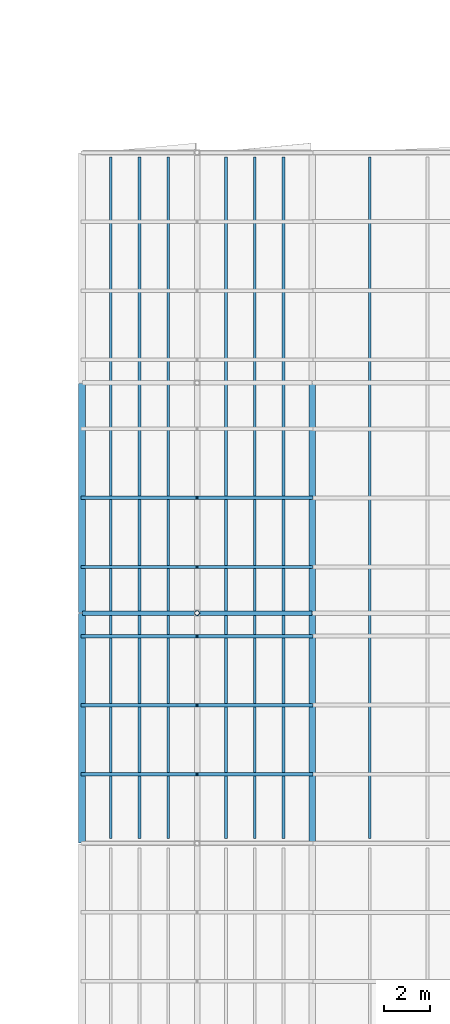
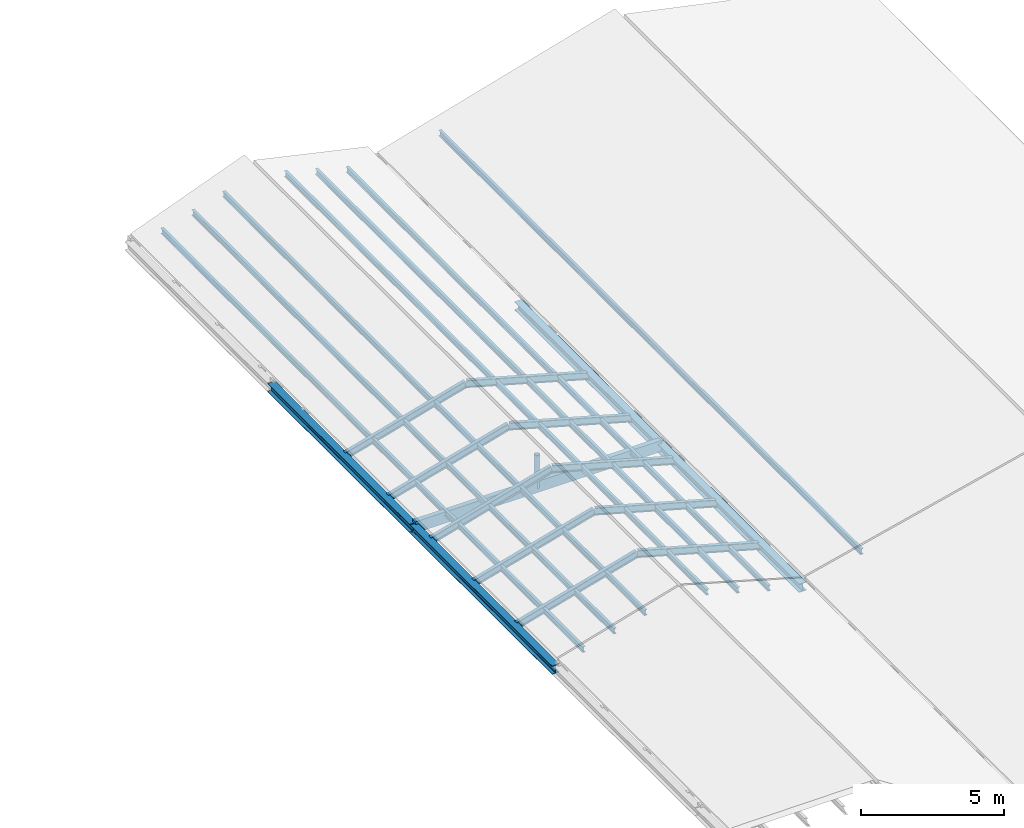
# One storey, part 65 of 90: 18 members, 5 beams.
"""IFC4 building model written with IfcOpenShell, lengths in metres."""

from ifc_helpers import new_model, si_unit, direction, frame, origin, origin_2d, place, context, subcontext, project, spatial, rectangle, hollow_circle, i_section, extrude, material, material_profile, profile_set, type_object, element, save


model = new_model("IFC4")

# Units and contexts
model_context = context("Model", 3, precision=1e-05, world=origin(), true_north=direction((0.0, 1.0)))
body_context = subcontext(model_context, "Body", "Model", "MODEL_VIEW")
ifc_project = project(units=[si_unit("LENGTHUNIT", "METRE"), si_unit("AREAUNIT", "SQUARE_METRE"), si_unit("VOLUMEUNIT", "CUBIC_METRE"), si_unit("PLANEANGLEUNIT", "RADIAN"), si_unit("MASSUNIT", "GRAM", prefix="KILO"), si_unit("THERMODYNAMICTEMPERATUREUNIT", "KELVIN"), si_unit("POWERUNIT", "WATT")], contexts=[model_context])

# Site, building, storey
site_placement = place(None, origin())
site = spatial("IfcSite", under=ifc_project, at=site_placement, CompositionType="ELEMENT")
building_placement = place(site_placement, origin())
building = spatial("IfcBuilding", under=site, at=building_placement, Name="Korenveer Ferry Terminal", CompositionType="ELEMENT")
storey_placement = place(building_placement, frame((0.0, 0.0, 22.199951171875)))
storey = spatial("IfcBuildingStorey", under=building, at=storey_placement, Name="RF", CompositionType="ELEMENT", Elevation=22.199951171875)

# Beams
ifc_material_1 = material(Name="Steel S355", Category="steel")
ifc_material_profile_1 = material_profile(ifc_material_1, i_section(OverallWidth=0.300048828125, OverallDepth=0.360107421875, WebThickness=0.012451171875, FlangeThickness=0.0224609375, FilletRadius=0.027099609375, at=origin_2d()), Name="HEB 360")
ifc_profile_set_1 = profile_set([ifc_material_profile_1], Name="Steel S355")
beam_type_1 = type_object("IfcBeamType", Name="STR-BM-HEB360", PredefinedType="BEAM", material=ifc_profile_set_1)
for number, where, z_axis, x_axis, name in (
    (1, (156.0, 50.02001953125, -7.619873046875), (0.0, 1.0, 0.0), (-1.0, 0.0, 0.0), "Wing eave beam EAST 141"),
    (2, (156.0, 60.02001953125, -7.619873046875), (0.0, 1.0, 0.0), (-1.0, 0.0, 0.0), "Wing eave beam EAST 142"),
    (3, (146.0, 50.02001953125, -7.619873046875), (0.0, 1.0, 0.0), (-1.0, 0.0, 0.0), "Wing eave beam EASTC 161"),
    (4, (146.0, 60.02001953125, -7.619873046875), (0.0, 1.0, 0.0), (-1.0, 0.0, 0.0), "Wing eave beam EASTC 162"),
):
    element("IfcBeam", number, at=place(storey_placement, frame(where, z_axis=z_axis, x_axis=x_axis)), inside=storey, type_object=beam_type_1, Name=name, PredefinedType="BEAM", context=body_context, shape_type="SweptSolid", body=[
        extrude(i_section(OverallWidth=0.300048828125, OverallDepth=0.360107421875, WebThickness=0.012451171875, FlangeThickness=0.0224609375, FilletRadius=0.027099609375, at=origin_2d()), origin(), (0.0, 0.0, 1.0), 9.9599609375),
    ])

# Members
ifc_material_profile_2 = material_profile(ifc_material_1, i_section(OverallWidth=0.1201171875, OverallDepth=0.239990234375, WebThickness=0.006103515625, FlangeThickness=0.009765625, FilletRadius=0.014892578125, at=origin_2d()), Name="IPE 240")
ifc_profile_set_2 = profile_set([ifc_material_profile_2], Name="Steel S355")
member_type_1 = type_object("IfcMemberType", Name="STR-PUR-IPE240", PredefinedType="PURLIN", material=ifc_profile_set_2)
for number, where, z_axis, x_axis, name in (
    (5, (158.5, 50.199951171875, -7.079833984375), (0.0, 1.0, 0.0), (-1.0, 0.0, 0.0), "Pitched wing roof steel purlin 254"),
    (6, (147.25, 50.199951171875, -7.329833984375), (0.0, 1.0, 0.0), (-1.0, 0.0, 0.0), "Pitched wing roof steel purlin 266"),
    (7, (148.5, 50.199951171875, -6.97998046875), (0.0, 1.0, 0.0), (-1.0, 0.0, 0.0), "Pitched wing roof steel purlin 268"),
    (8, (149.75, 50.199951171875, -6.6298828125), (0.0, 1.0, 0.0), (-1.0, 0.0, 0.0), "Pitched wing roof steel purlin 270"),
    (9, (152.25, 50.199951171875, -6.6298828125), (0.0, 1.0, 0.0), (-1.0, 0.0, 0.0), "Pitched wing roof steel purlin 272"),
    (10, (153.5, 50.199951171875, -6.97998046875), (0.0, 1.0, 0.0), (-1.0, 0.0, 0.0), "Pitched wing roof steel purlin 274"),
    (11, (154.75, 50.199951171875, -7.329833984375), (0.0, 1.0, 0.0), (-1.0, 0.0, 0.0), "Pitched wing roof steel purlin 276"),
):
    element("IfcMember", number, at=place(storey_placement, frame(where, z_axis=z_axis, x_axis=x_axis)), inside=storey, type_object=member_type_1, Name=name, PredefinedType="PURLIN", context=body_context, shape_type="SweptSolid", body=[
        extrude(i_section(OverallWidth=0.1201171875, OverallDepth=0.239990234375, WebThickness=0.006103515625, FlangeThickness=0.009765625, FilletRadius=0.014892578125, at=origin_2d()), origin(), (0.0, 0.0, 1.0), 29.60009765625),
    ])
ifc_material_profile_3 = material_profile(ifc_material_1, i_section(OverallWidth=0.14990234375, OverallDepth=0.300048828125, WebThickness=0.007080078125, FlangeThickness=0.0107421875, FilletRadius=0.014892578125, at=origin_2d()), Name="IPE 300")
ifc_profile_set_3 = profile_set([ifc_material_profile_3], Name="Steel S355")
member_type_2 = type_object("IfcMemberType", Name="STR-RAF-IPE300", PredefinedType="RAFTER", material=ifc_profile_set_3)
for number, where, z_axis, x_axis, name in (
    (12, (146.0, 53.0, -7.619873046875), (0.962968902935, 0.0, 0.269612484836), (0.0, 1.0, 0.0), "Pitched roof rafter 65"),
    (13, (151.0, 53.0, -6.219970703125), (0.962968902935, 0.0, -0.269612484836), (0.0, 1.0, 0.0), "Pitched roof rafter 66"),
    (14, (146.0, 56.0, -7.619873046875), (0.962968902935, 0.0, 0.269612484836), (0.0, 1.0, 0.0), "Pitched roof rafter 67"),
    (15, (151.0, 56.0, -6.219970703125), (0.962968902935, 0.0, -0.269612484836), (0.0, 1.0, 0.0), "Pitched roof rafter 68"),
    (16, (146.0, 59.0, -7.619873046875), (0.962968902935, 0.0, 0.269612484836), (0.0, 1.0, 0.0), "Pitched roof rafter 69"),
    (17, (151.0, 59.0, -6.219970703125), (0.962968902935, 0.0, -0.269612484836), (0.0, 1.0, 0.0), "Pitched roof rafter 70"),
    (18, (146.0, 62.0, -7.619873046875), (0.962968902935, 0.0, 0.269612484836), (0.0, 1.0, 0.0), "Pitched roof rafter 71"),
    (19, (151.0, 62.0, -6.219970703125), (0.962968902935, 0.0, -0.269612484836), (0.0, 1.0, 0.0), "Pitched roof rafter 72"),
    (20, (146.0, 65.0, -7.619873046875), (0.962968902935, 0.0, 0.269612484836), (0.0, 1.0, 0.0), "Pitched roof rafter 73"),
    (21, (151.0, 65.0, -6.219970703125), (0.962968902935, 0.0, -0.269612484836), (0.0, 1.0, 0.0), "Pitched roof rafter 74"),
):
    element("IfcMember", number, at=place(storey_placement, frame(where, z_axis=z_axis, x_axis=x_axis)), inside=storey, type_object=member_type_2, Name=name, PredefinedType="RAFTER", context=body_context, shape_type="SweptSolid", body=[
        extrude(i_section(OverallWidth=0.14990234375, OverallDepth=0.300048828125, WebThickness=0.007080078125, FlangeThickness=0.0107421875, FilletRadius=0.014892578125, at=origin_2d()), origin(), (0.0, 0.0, 1.0), 5.1923828125),
    ])

# Beam
ifc_material_2 = material(Name="Glulam GL28h", Category="wood")
ifc_material_profile_4 = material_profile(ifc_material_2, rectangle(XDim=0.199951171875, YDim=0.47998046875, at=origin_2d()), Name="GL 200x480")
ifc_profile_set_4 = profile_set([ifc_material_profile_4], Name="Glulam GL28h")
beam_type_2 = type_object("IfcBeamType", Name="STR-RFG-GL200", PredefinedType="USERDEFINED", material=ifc_profile_set_4)
beam_placement = place(storey_placement, frame((146.02001953125, 60.0, -7.56005859375), z_axis=(1.0, 0.0, 0.0), x_axis=(0.0, 1.0, 0.0)))
element("IfcBeam", 22, at=beam_placement, inside=storey, type_object=beam_type_2, Name="Wing roof collar tie EASTC 169", ObjectType="ROOF GIRDER", PredefinedType="USERDEFINED", context=body_context, shape_type="SweptSolid", body=[
    extrude(rectangle(XDim=0.199951171875, YDim=0.47998046875, at=origin_2d()), origin(), (0.0, 0.0, 1.0), 9.9599609375),
])

# Member
ifc_material_profile_5 = material_profile(ifc_material_1, hollow_circle(Radius=0.109619140625, WallThickness=0.012451171875, at=origin_2d()), Name="CHS 219.1x12.5")
ifc_profile_set_5 = profile_set([ifc_material_profile_5], Name="Steel S355")
member_type_3 = type_object("IfcMemberType", Name="STR-STT-CHS219", PredefinedType="STRUT", material=ifc_profile_set_5)
member_placement = place(storey_placement, frame((151.0, 60.0, -7.619873046875), z_axis=(0.0, 0.0, 1.0), x_axis=(1.0, 0.0, 0.0)))
element("IfcMember", 23, at=member_placement, inside=storey, type_object=member_type_3, Name="Wing ridge strut STTWR-EASTC-Y60", PredefinedType="STRUT", context=body_context, shape_type="SweptSolid", body=[
    extrude(hollow_circle(Radius=0.109619140625, WallThickness=0.012451171875, at=origin_2d()), origin(), (0.0, 0.0, 1.0), 1.39990234375),
])

save(model, "model.ifc")
